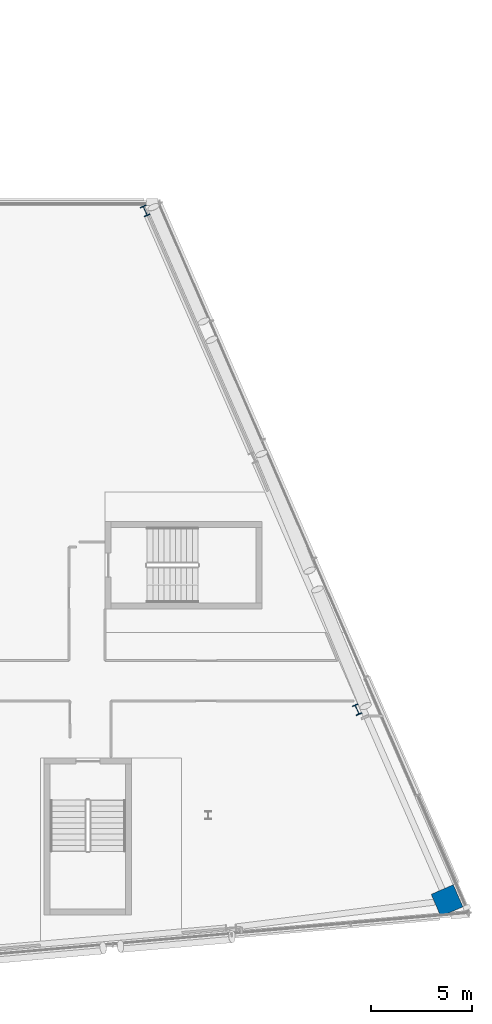
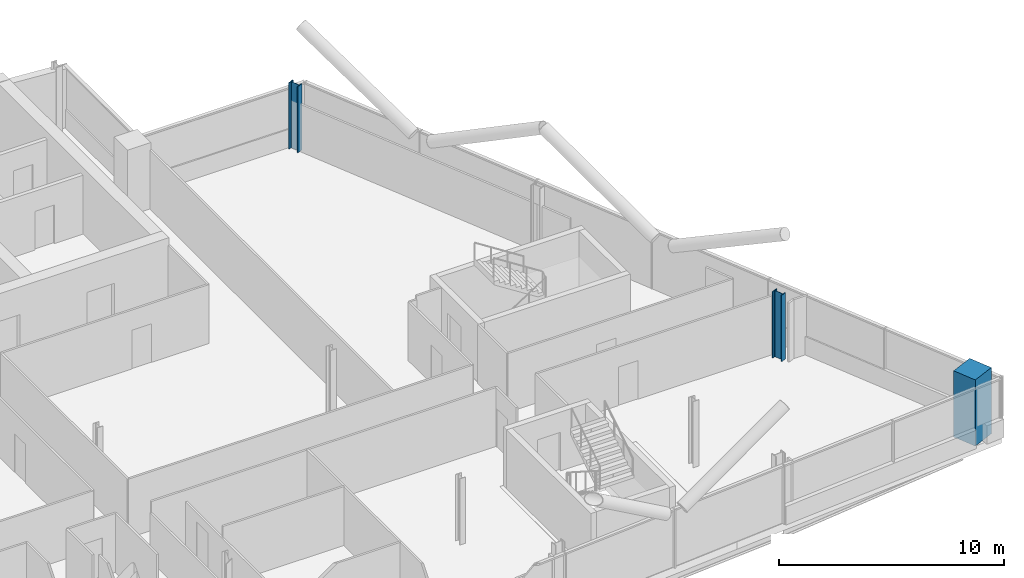
# One storey, part 4 of 26: 3 columns.
"""IFC4 building model written with IfcOpenShell, lengths in metres."""

from ifc_helpers import new_model, si_unit, direction, frame, origin, origin_2d, place, context, subcontext, project, spatial, rectangle, i_section, extrude, material, material_profile, profile_set, type_object, element, save


model = new_model("IFC4")

# Units and contexts
model_context = context("Model", 3, precision=1e-05, world=origin(), true_north=direction((0.0, 1.0)))
body_context = subcontext(model_context, "Body", "Model", "MODEL_VIEW")
ifc_project = project(units=[si_unit("LENGTHUNIT", "METRE"), si_unit("AREAUNIT", "SQUARE_METRE"), si_unit("VOLUMEUNIT", "CUBIC_METRE"), si_unit("PLANEANGLEUNIT", "RADIAN"), si_unit("MASSUNIT", "GRAM", prefix="KILO")], contexts=[model_context])

# Site, building, storey
site_placement = place(None, origin())
site = spatial("IfcSite", under=ifc_project, at=site_placement, CompositionType="ELEMENT")
building_placement = place(site_placement, origin())
building = spatial("IfcBuilding", under=site, at=building_placement, Name="Wharfspan Tower", CompositionType="ELEMENT")
storey_placement = place(building_placement, frame((0.0, 0.0, 214.300049)))
storey = spatial("IfcBuildingStorey", under=building, at=storey_placement, Name="L53", CompositionType="ELEMENT", Elevation=214.300049)

# Columns
ifc_material_1 = material(Name="Steel S355J2", Category="steel")
ifc_material_profile_1 = material_profile(ifc_material_1, i_section(OverallWidth=0.305908, OverallDepth=0.523926, WebThickness=0.020996, FlangeThickness=0.040039, FilletRadius=0.0271, at=origin_2d()))
ifc_profile_set_1 = profile_set([ifc_material_profile_1], Name="Steel S355J2")
column_type_1 = type_object("IfcColumnType", Name="Column HEM 500", PredefinedType="COLUMN", material=ifc_profile_set_1)
for number, where, z_axis, x_axis, name in (
    (1, (79.409668, 16.761719, 0.0), (0.0, 0.0, 1.0), (0.917072, 0.398727, 0.0), "Perimeter column PE.1 L53"),
    (2, (68.867188, 41.572266, 0.0), (0.0, 0.0, 1.0), (0.917072, 0.398727, 0.0), "Perimeter column PE.3 L53"),
):
    element("IfcColumn", number, at=place(storey_placement, frame(where, z_axis=z_axis, x_axis=x_axis)), inside=storey, type_object=column_type_1, Name=name, PredefinedType="COLUMN", context=body_context, shape_type="SweptSolid", body=[
        extrude(i_section(OverallWidth=0.305908, OverallDepth=0.523926, WebThickness=0.020996, FlangeThickness=0.040039, FilletRadius=0.0271, at=origin_2d()), origin(), (0.0, 0.0, 1.0), 3.599854),
    ])
ifc_material_2 = material(Name="Concrete C50/60", Category="concrete")
ifc_material_profile_2 = material_profile(ifc_material_2, rectangle(XDim=1.199951, YDim=1.199951, at=origin_2d()))
ifc_profile_set_2 = profile_set([ifc_material_profile_2], Name="Concrete C50/60")
column_type_2 = type_object("IfcColumnType", Name="Mega column 1200 C50/60", PredefinedType="COLUMN", material=ifc_profile_set_2)
column_placement = place(storey_placement, frame((83.882812, 7.264648, 0.0), z_axis=(0.0, 0.0, 1.0), x_axis=(-0.398727, 0.917072, 0.0)))
element("IfcColumn", 3, at=column_placement, inside=storey, type_object=column_type_2, Name="Mega column MC4 L53", PredefinedType="COLUMN", context=body_context, shape_type="SweptSolid", body=[
    extrude(rectangle(XDim=1.199951, YDim=1.199951, at=origin_2d()), origin(), (0.0, 0.0, 1.0), 3.599854),
])

save(model, "model.ifc")
